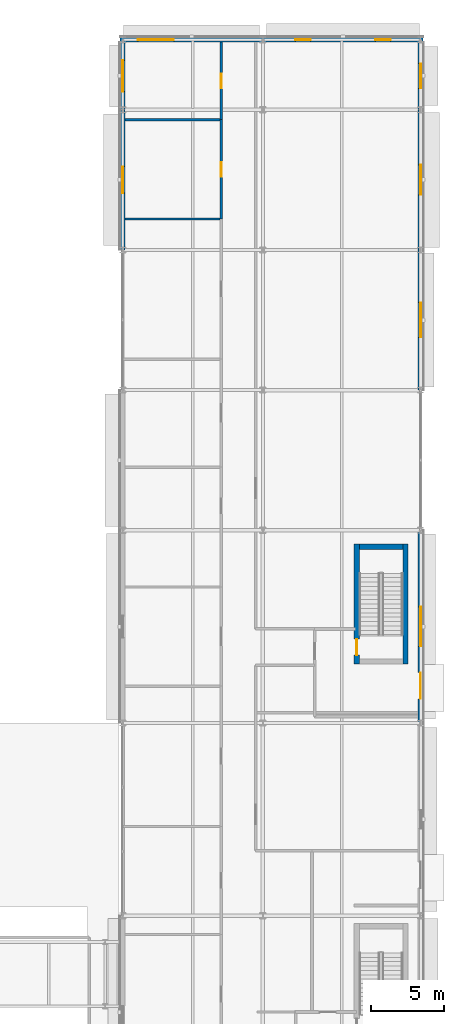
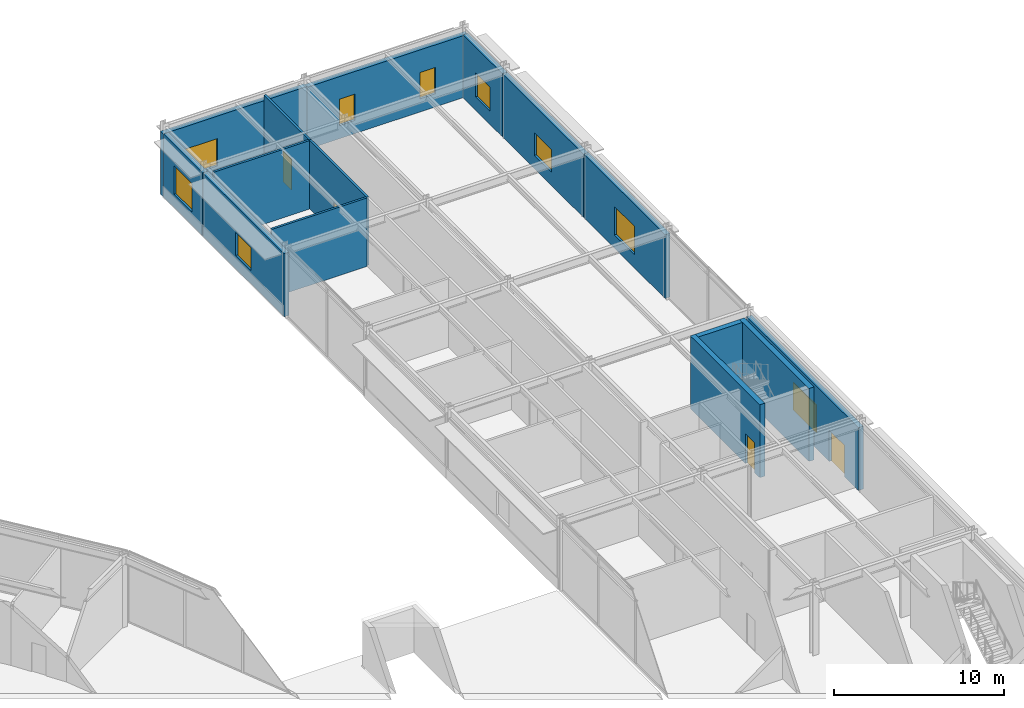
# One storey, part 131 of 168: 15 walls, 9 windows, 4 doors, 13 openings.
"""IFC4 building model written with IfcOpenShell, lengths in metres."""

from ifc_helpers import new_model, si_unit, direction, frame, frame_2d, origin, place, context, subcontext, project, spatial, rectangle, extrude, material, layer, layer_set, type_object, element, fill, save


model = new_model("IFC4")

# Units and contexts
model_context = context("Model", 3, precision=1e-05, world=origin(), true_north=direction((0.0, 1.0)))
body_context = subcontext(model_context, "Body", "Model", "MODEL_VIEW")
ifc_project = project(units=[si_unit("LENGTHUNIT", "METRE"), si_unit("AREAUNIT", "SQUARE_METRE"), si_unit("VOLUMEUNIT", "CUBIC_METRE"), si_unit("PLANEANGLEUNIT", "RADIAN"), si_unit("MASSUNIT", "GRAM", prefix="KILO")], contexts=[model_context])

# Site, building, storey
site_placement = place(None, origin())
site = spatial("IfcSite", under=ifc_project, at=site_placement, CompositionType="ELEMENT")
building_placement = place(site_placement, origin())
building = spatial("IfcBuilding", under=site, at=building_placement, Name="Almandine Court Research Institute", CompositionType="ELEMENT")
storey_placement = place(building_placement, origin())
storey = spatial("IfcBuildingStorey", under=building, at=storey_placement, Name="L00", CompositionType="ELEMENT", Elevation=0.0)

# Wall, opening, window
ifc_material_1 = material(Name="Andean Red-Buff Sandstone Plinth Wall", Category="masonry")
ifc_layer_1 = layer(ifc_material_1, 0.340087890625)
ifc_layer_set_1 = layer_set([ifc_layer_1], Name="Andean Red-Buff Sandstone Plinth Wall")
wall_type_1 = type_object("IfcWallType", Name="Wall-EXT-SAND-340", PredefinedType="SOLIDWALL", material=ifc_layer_set_1)
wall_1_placement = place(storey_placement, frame((153.60009765625, 103.2041015625, 0.0), z_axis=(0.0, 0.0, 1.0), x_axis=(0.0, 1.0, 0.0)))
wall_1 = element("IfcWall", 1, at=wall_1_placement, inside=storey, type_object=wall_type_1, Name="L00 Wet Lab West Facade Wall 8", PredefinedType="SOLIDWALL", context=body_context, shape_type="SweptSolid", body=[
    extrude(rectangle(XDim=9.591796875, YDim=0.340087890625, at=frame_2d((4.7958984375, 0.0))), origin(), (0.0, 0.0, 1.0), 4.5458984375),
])
opening_1_placement = place(wall_1_placement, frame((3.885986328125, 0.0, 0.949951171875)))
opening_1 = element("IfcOpeningElement", 2, at=opening_1_placement, cuts=wall_1, Name="Opening WN-47", PredefinedType="OPENING", context=body_context, shape_type="SweptSolid", body=[
    extrude(rectangle(XDim=1.820068359375, YDim=1.64990234375, at=frame_2d((0.91015625, 0.824951171875))), frame((0.0, 0.179931640625, 0.0), z_axis=(0.0, -1.0, 0.0), x_axis=(1.0, 0.0, 0.0)), (0.0, 0.0, 1.0), 0.360107421875),
])
ifc_material_2 = material(Name="Thermally Broken Low-E Double-Glazed Window", Category="glass")
window_type_1 = type_object("IfcWindowType", Name="Win-WN-47-1820x1650", PartitioningType="SINGLE_PANEL", PredefinedType="WINDOW", material=ifc_material_2)
window_1_placement = place(opening_1_placement, origin())
window_1 = element("IfcWindow", 3, at=window_1_placement, inside=storey, type_object=window_type_1, Name="L00 Modular Recessed Low-E Window 71", OverallHeight=1.64990234375, OverallWidth=1.820068359375, PartitioningType="SINGLE_PANEL", PredefinedType="WINDOW", context=body_context, shape_type="SweptSolid", body=[
    extrude(rectangle(XDim=1.820068359375, YDim=1.64990234375, at=frame_2d((0.91015625, 0.824951171875))), frame((0.0, 0.030029296875, 0.0), z_axis=(0.0, -1.0, 0.0), x_axis=(1.0, 0.0, 0.0)), (0.0, 0.0, 1.0), 0.06005859375),
])
fill(opening_1, window_1)

wall_2_placement = place(storey_placement, frame((153.60009765625, 112.803955078125, 0.0), z_axis=(0.0, 0.0, 1.0), x_axis=(0.0, 1.0, 0.0)))
wall_2 = element("IfcWall", 4, at=wall_2_placement, inside=storey, type_object=wall_type_1, Name="L00 Wet Lab West Facade Wall 9", PredefinedType="SOLIDWALL", context=body_context, shape_type="SweptSolid", body=[
    extrude(rectangle(XDim=4.6220703125, YDim=0.340087890625, at=frame_2d((2.31103515625, 0.0))), origin(), (0.0, 0.0, 1.0), 4.5458984375),
])
opening_2_placement = place(wall_2_placement, frame((1.236083984375, 0.0, 0.949951171875)))
opening_2 = element("IfcOpeningElement", 5, at=opening_2_placement, cuts=wall_2, Name="Opening WN-48", PredefinedType="OPENING", context=body_context, shape_type="SweptSolid", body=[
    extrude(rectangle(XDim=2.14990234375, YDim=2.050048828125, at=frame_2d((1.074951171875, 1.02490234375))), frame((0.0, 0.179931640625, 0.0), z_axis=(0.0, -1.0, 0.0), x_axis=(1.0, 0.0, 0.0)), (0.0, 0.0, 1.0), 0.360107421875),
])
window_type_2 = type_object("IfcWindowType", Name="Win-WN-48-2150x2050", PartitioningType="SINGLE_PANEL", PredefinedType="WINDOW", material=ifc_material_2)
window_2_placement = place(opening_2_placement, origin())
window_2 = element("IfcWindow", 6, at=window_2_placement, inside=storey, type_object=window_type_2, Name="L00 Modular Recessed Low-E Window 72", OverallHeight=2.050048828125, OverallWidth=2.14990234375, PartitioningType="SINGLE_PANEL", PredefinedType="WINDOW", context=body_context, shape_type="SweptSolid", body=[
    extrude(rectangle(XDim=2.14990234375, YDim=2.050048828125, at=frame_2d((1.074951171875, 1.02490234375))), frame((0.0, 0.030029296875, 0.0), z_axis=(0.0, -1.0, 0.0), x_axis=(1.0, 0.0, 0.0)), (0.0, 0.0, 1.0), 0.06005859375),
])
fill(opening_2, window_2)

wall_3_placement = place(storey_placement, frame((153.429931640625, 117.60009765625, 0.0), z_axis=(0.0, 0.0, 1.0), x_axis=(1.0, 0.0, 0.0)))
wall_3 = element("IfcWall", 7, at=wall_3_placement, inside=storey, type_object=wall_type_1, Name="L00 Wet Lab North Wall 1", PredefinedType="SOLIDWALL", context=body_context, shape_type="SweptSolid", body=[
    extrude(rectangle(XDim=9.76611328125, YDim=0.340087890625, at=frame_2d((4.883056640625, 0.0))), origin(), (0.0, 0.0, 1.0), 4.537109375),
])
opening_3_placement = place(wall_3_placement, frame((1.200927734375, 0.0, 0.949951171875)))
opening_3 = element("IfcOpeningElement", 8, at=opening_3_placement, cuts=wall_3, Name="Opening WN-49", PredefinedType="OPENING", context=body_context, shape_type="SweptSolid", body=[
    extrude(rectangle(XDim=2.47998046875, YDim=1.969970703125, at=frame_2d((1.239990234375, 0.98486328125))), frame((0.0, 0.179931640625, 0.0), z_axis=(0.0, -1.0, 0.0), x_axis=(1.0, 0.0, 0.0)), (0.0, 0.0, 1.0), 0.360107421875),
])
window_type_3 = type_object("IfcWindowType", Name="Win-WN-49-2480x1970", PartitioningType="SINGLE_PANEL", PredefinedType="WINDOW", material=ifc_material_2)
window_3_placement = place(opening_3_placement, origin())
window_3 = element("IfcWindow", 9, at=window_3_placement, inside=storey, type_object=window_type_3, Name="L00 Modular Recessed Low-E Window 73", OverallHeight=1.969970703125, OverallWidth=2.47998046875, PartitioningType="SINGLE_PANEL", PredefinedType="WINDOW", context=body_context, shape_type="SweptSolid", body=[
    extrude(rectangle(XDim=2.47998046875, YDim=1.969970703125, at=frame_2d((1.239990234375, 0.98486328125))), frame((0.0, 0.030029296875, 0.0), z_axis=(0.0, -1.0, 0.0), x_axis=(1.0, 0.0, 0.0)), (0.0, 0.0, 1.0), 0.06005859375),
])
fill(opening_3, window_3)

# Wall, openings, windows
wall_4_placement = place(storey_placement, frame((163.2041015625, 117.60009765625, 0.0), z_axis=(0.0, 0.0, 1.0), x_axis=(1.0, 0.0, 0.0)))
wall_4 = element("IfcWall", 10, at=wall_4_placement, inside=storey, type_object=wall_type_1, Name="L00 Wet Lab North Wall 2", PredefinedType="SOLIDWALL", context=body_context, shape_type="SweptSolid", body=[
    extrude(rectangle(XDim=10.9658203125, YDim=0.340087890625, at=frame_2d((5.48291015625, 0.0))), origin(), (0.0, 0.0, 1.0), 4.468994140625),
])
opening_4_placement = place(wall_4_placement, frame((2.216064453125, 0.0, 0.949951171875)))
opening_4 = element("IfcOpeningElement", 11, at=opening_4_placement, cuts=wall_4, Name="Opening WN-50", PredefinedType="OPENING", context=body_context, shape_type="SweptSolid", body=[
    extrude(rectangle(XDim=1.050048828125, YDim=1.889892578125, at=frame_2d((0.52490234375, 0.94482421875))), frame((0.0, 0.179931640625, 0.0), z_axis=(0.0, -1.0, 0.0), x_axis=(1.0, 0.0, 0.0)), (0.0, 0.0, 1.0), 0.360107421875),
])
opening_5_placement = place(wall_4_placement, frame((7.698974609375, 0.0, 0.949951171875)))
opening_5 = element("IfcOpeningElement", 12, at=opening_5_placement, cuts=wall_4, Name="Opening WN-50", PredefinedType="OPENING", context=body_context, shape_type="SweptSolid", body=[
    extrude(rectangle(XDim=1.050048828125, YDim=1.889892578125, at=frame_2d((0.52490234375, 0.94482421875))), frame((0.0, 0.179931640625, 0.0), z_axis=(0.0, -1.0, 0.0), x_axis=(1.0, 0.0, 0.0)), (0.0, 0.0, 1.0), 0.360107421875),
])
window_type_4 = type_object("IfcWindowType", Name="Win-WN-50-1050x1890", PartitioningType="SINGLE_PANEL", PredefinedType="WINDOW", material=ifc_material_2)
window_4_placement = place(opening_4_placement, origin())
window_4 = element("IfcWindow", 13, at=window_4_placement, inside=storey, type_object=window_type_4, Name="L00 Modular Recessed Low-E Window 74", OverallHeight=1.889892578125, OverallWidth=1.050048828125, PartitioningType="SINGLE_PANEL", PredefinedType="WINDOW", context=body_context, shape_type="SweptSolid", body=[
    extrude(rectangle(XDim=1.050048828125, YDim=1.889892578125, at=frame_2d((0.52490234375, 0.94482421875))), frame((0.0, 0.030029296875, 0.0), z_axis=(0.0, -1.0, 0.0), x_axis=(1.0, 0.0, 0.0)), (0.0, 0.0, 1.0), 0.06005859375),
])
fill(opening_4, window_4)
window_5_placement = place(opening_5_placement, origin())
window_5 = element("IfcWindow", 14, at=window_5_placement, inside=storey, type_object=window_type_4, Name="L00 Modular Recessed Low-E Window 75", OverallHeight=1.889892578125, OverallWidth=1.050048828125, PartitioningType="SINGLE_PANEL", PredefinedType="WINDOW", context=body_context, shape_type="SweptSolid", body=[
    extrude(rectangle(XDim=1.050048828125, YDim=1.889892578125, at=frame_2d((0.52490234375, 0.94482421875))), frame((0.0, 0.030029296875, 0.0), z_axis=(0.0, -1.0, 0.0), x_axis=(1.0, 0.0, 0.0)), (0.0, 0.0, 1.0), 0.06005859375),
])
fill(opening_5, window_5)

# Wall, opening, window
wall_5_placement = place(storey_placement, frame((174.0, 117.426025390625, 0.0), z_axis=(0.0, 0.0, 1.0), x_axis=(0.0, -1.0, 0.0)))
wall_5 = element("IfcWall", 15, at=wall_5_placement, inside=storey, type_object=wall_type_1, Name="L00 Wet Lab East Facade Wall 11", PredefinedType="SOLIDWALL", context=body_context, shape_type="SweptSolid", body=[
    extrude(rectangle(XDim=4.6220703125, YDim=0.340087890625, at=frame_2d((2.31103515625, 0.0))), origin(), (0.0, 0.0, 1.0), 4.537109375),
])
opening_6_placement = place(wall_5_placement, frame((1.4560546875, 0.0, 0.949951171875)))
opening_6 = element("IfcOpeningElement", 16, at=opening_6_placement, cuts=wall_5, Name="Opening WN-51", PredefinedType="OPENING", context=body_context, shape_type="SweptSolid", body=[
    extrude(rectangle(XDim=1.7099609375, YDim=1.72998046875, at=frame_2d((0.85498046875, 0.864990234375))), frame((0.0, 0.179931640625, 0.0), z_axis=(0.0, -1.0, 0.0), x_axis=(1.0, 0.0, 0.0)), (0.0, 0.0, 1.0), 0.360107421875),
])
window_type_5 = type_object("IfcWindowType", Name="Win-WN-51-1710x1730", PartitioningType="SINGLE_PANEL", PredefinedType="WINDOW", material=ifc_material_2)
window_6_placement = place(opening_6_placement, origin())
window_6 = element("IfcWindow", 17, at=window_6_placement, inside=storey, type_object=window_type_5, Name="L00 Modular Recessed Low-E Window 76", OverallHeight=1.72998046875, OverallWidth=1.7099609375, PartitioningType="SINGLE_PANEL", PredefinedType="WINDOW", context=body_context, shape_type="SweptSolid", body=[
    extrude(rectangle(XDim=1.7099609375, YDim=1.72998046875, at=frame_2d((0.85498046875, 0.864990234375))), frame((0.0, 0.030029296875, 0.0), z_axis=(0.0, -1.0, 0.0), x_axis=(1.0, 0.0, 0.0)), (0.0, 0.0, 1.0), 0.06005859375),
])
fill(opening_6, window_6)

wall_6_placement = place(storey_placement, frame((174.0, 112.7958984375, 0.0), z_axis=(0.0, 0.0, 1.0), x_axis=(0.0, -1.0, 0.0)))
wall_6 = element("IfcWall", 18, at=wall_6_placement, inside=storey, type_object=wall_type_1, Name="L00 Wet Lab East Facade Wall 10", PredefinedType="SOLIDWALL", context=body_context, shape_type="SweptSolid", body=[
    extrude(rectangle(XDim=9.591796875, YDim=0.340087890625, at=frame_2d((4.7958984375, 0.0))), origin(), (0.0, 0.0, 1.0), 4.537109375),
])
opening_7_placement = place(wall_6_placement, frame((3.77587890625, 0.0, 0.949951171875)))
opening_7 = element("IfcOpeningElement", 19, at=opening_7_placement, cuts=wall_6, Name="Opening WN-52", PredefinedType="OPENING", context=body_context, shape_type="SweptSolid", body=[
    extrude(rectangle(XDim=2.0400390625, YDim=1.64990234375, at=frame_2d((1.02001953125, 0.824951171875))), frame((0.0, 0.179931640625, 0.0), z_axis=(0.0, -1.0, 0.0), x_axis=(1.0, 0.0, 0.0)), (0.0, 0.0, 1.0), 0.360107421875),
])
window_type_6 = type_object("IfcWindowType", Name="Win-WN-52-2040x1650", PartitioningType="SINGLE_PANEL", PredefinedType="WINDOW", material=ifc_material_2)
window_7_placement = place(opening_7_placement, origin())
window_7 = element("IfcWindow", 20, at=window_7_placement, inside=storey, type_object=window_type_6, Name="L00 Modular Recessed Low-E Window 77", OverallHeight=1.64990234375, OverallWidth=2.0400390625, PartitioningType="SINGLE_PANEL", PredefinedType="WINDOW", context=body_context, shape_type="SweptSolid", body=[
    extrude(rectangle(XDim=2.0400390625, YDim=1.64990234375, at=frame_2d((1.02001953125, 0.824951171875))), frame((0.0, 0.030029296875, 0.0), z_axis=(0.0, -1.0, 0.0), x_axis=(1.0, 0.0, 0.0)), (0.0, 0.0, 1.0), 0.06005859375),
])
fill(opening_7, window_7)

wall_7_placement = place(storey_placement, frame((174.0, 103.196044921875, 0.0), z_axis=(0.0, 0.0, 1.0), x_axis=(0.0, -1.0, 0.0)))
wall_7 = element("IfcWall", 21, at=wall_7_placement, inside=storey, type_object=wall_type_1, Name="L00 Wet Lab East Facade Wall 9", PredefinedType="SOLIDWALL", context=body_context, shape_type="SweptSolid", body=[
    extrude(rectangle(XDim=9.592041015625, YDim=0.340087890625, at=frame_2d((4.7958984375, 0.0))), origin(), (0.0, 0.0, 1.0), 4.583984375),
])
opening_8_placement = place(wall_7_placement, frame((3.611083984375, 0.0, 0.949951171875)))
opening_8 = element("IfcOpeningElement", 22, at=opening_8_placement, cuts=wall_7, Name="Opening WN-53", PredefinedType="OPENING", context=body_context, shape_type="SweptSolid", body=[
    extrude(rectangle(XDim=2.3701171875, YDim=2.050048828125, at=frame_2d((1.18505859375, 1.02490234375))), frame((0.0, 0.179931640625, 0.0), z_axis=(0.0, -1.0, 0.0), x_axis=(1.0, 0.0, 0.0)), (0.0, 0.0, 1.0), 0.360107421875),
])
window_type_7 = type_object("IfcWindowType", Name="Win-WN-53-2370x2050", PartitioningType="SINGLE_PANEL", PredefinedType="WINDOW", material=ifc_material_2)
window_8_placement = place(opening_8_placement, origin())
window_8 = element("IfcWindow", 23, at=window_8_placement, inside=storey, type_object=window_type_7, Name="L00 Modular Recessed Low-E Window 78", OverallHeight=2.050048828125, OverallWidth=2.3701171875, PartitioningType="SINGLE_PANEL", PredefinedType="WINDOW", context=body_context, shape_type="SweptSolid", body=[
    extrude(rectangle(XDim=2.3701171875, YDim=2.050048828125, at=frame_2d((1.18505859375, 1.02490234375))), frame((0.0, 0.030029296875, 0.0), z_axis=(0.0, -1.0, 0.0), x_axis=(1.0, 0.0, 0.0)), (0.0, 0.0, 1.0), 0.06005859375),
])
fill(opening_8, window_8)

# Wall, openings, door, window
wall_8_placement = place(storey_placement, frame((174.0, 83.99609375, 0.0), z_axis=(0.0, 0.0, 1.0), x_axis=(0.0, -1.0, 0.0)))
wall_8 = element("IfcWall", 24, at=wall_8_placement, inside=storey, type_object=wall_type_1, Name="L00 Wet Lab East Facade Wall 7", PredefinedType="SOLIDWALL", context=body_context, shape_type="SweptSolid", body=[
    extrude(rectangle(XDim=13.192138671875, YDim=0.340087890625, at=frame_2d((6.59619140625, 0.0))), origin(), (0.0, 0.0, 1.0), 4.51611328125),
])
opening_9_placement = place(wall_8_placement, frame((9.75, 0.0, 0.0)))
opening_9 = element("IfcOpeningElement", 25, at=opening_9_placement, cuts=wall_8, Name="Opening EX-02", PredefinedType="OPENING", context=body_context, shape_type="SweptSolid", body=[
    extrude(rectangle(XDim=1.800048828125, YDim=2.25, at=frame_2d((0.89990234375, 1.125))), frame((0.0, 0.179931640625, 0.0), z_axis=(0.0, -1.0, 0.0), x_axis=(1.0, 0.0, 0.0)), (0.0, 0.0, 1.0), 0.360107421875),
])
opening_10_placement = place(wall_8_placement, frame((5.24609375, 0.0, 0.949951171875)))
opening_10 = element("IfcOpeningElement", 26, at=opening_10_placement, cuts=wall_8, Name="Opening WN-54", PredefinedType="OPENING", context=body_context, shape_type="SweptSolid", body=[
    extrude(rectangle(XDim=2.699951171875, YDim=1.969970703125, at=frame_2d((1.35009765625, 0.98486328125))), frame((0.0, 0.179931640625, 0.0), z_axis=(0.0, -1.0, 0.0), x_axis=(1.0, 0.0, 0.0)), (0.0, 0.0, 1.0), 0.360107421875),
])
ifc_material_3 = material(Name="Anodised Aluminium Exit Discharge Door", Category="aluminium")
door_type_1 = type_object("IfcDoorType", Name="Door-EX-1800", OperationType="DOUBLE_DOOR_SINGLE_SWING", PredefinedType="DOOR", material=ifc_material_3)
door_1_placement = place(opening_9_placement, origin())
door_1 = element("IfcDoor", 27, at=door_1_placement, inside=storey, type_object=door_type_1, Name="L00 ST-13 North Lab East Protected Exit Door", OperationType="DOUBLE_DOOR_SINGLE_SWING", OverallHeight=2.25, OverallWidth=1.800048828125, PredefinedType="DOOR", context=body_context, shape_type="SweptSolid", body=[
    extrude(rectangle(XDim=1.800048828125, YDim=2.25, at=frame_2d((0.89990234375, 1.125))), frame((0.0, 0.02490234375, 0.0), z_axis=(0.0, -1.0, 0.0), x_axis=(1.0, 0.0, 0.0)), (0.0, 0.0, 1.0), 0.050048828125),
])
fill(opening_9, door_1)
window_type_8 = type_object("IfcWindowType", Name="Win-WN-54-2700x1970", PartitioningType="SINGLE_PANEL", PredefinedType="WINDOW", material=ifc_material_2)
window_9_placement = place(opening_10_placement, origin())
window_9 = element("IfcWindow", 28, at=window_9_placement, inside=storey, type_object=window_type_8, Name="L00 Modular Recessed Low-E Window 79", OverallHeight=1.969970703125, OverallWidth=2.699951171875, PartitioningType="SINGLE_PANEL", PredefinedType="WINDOW", context=body_context, shape_type="SweptSolid", body=[
    extrude(rectangle(XDim=2.699951171875, YDim=1.969970703125, at=frame_2d((1.35009765625, 0.98486328125))), frame((0.0, 0.030029296875, 0.0), z_axis=(0.0, -1.0, 0.0), x_axis=(1.0, 0.0, 0.0)), (0.0, 0.0, 1.0), 0.06005859375),
])
fill(opening_10, window_9)

# Wall
ifc_material_4 = material(Name="Acoustic Steel-Stud Gypsum Partition Wall", Category="steel")
ifc_layer_2 = layer(ifc_material_4, 0.14990234375)
ifc_layer_set_2 = layer_set([ifc_layer_2], Name="Acoustic Steel-Stud Gypsum Partition Wall")
wall_type_2 = type_object("IfcWallType", Name="Wall-PART-150", PredefinedType="PARTITIONING", material=ifc_layer_set_2)
wall_9_placement = place(storey_placement, frame((153.760009765625, 105.320068359375, 0.0), z_axis=(0.0, 0.0, 1.0), x_axis=(1.0, 0.0, 0.0)))
element("IfcWall", 29, at=wall_9_placement, inside=storey, type_object=wall_type_2, Name="L00 Interior Partition W-V4-L00-WDIV-10", PredefinedType="PARTITIONING", context=body_context, shape_type="SweptSolid", body=[
    extrude(rectangle(XDim=6.510009765625, YDim=0.14990234375, at=frame_2d((3.2548828125, 0.0))), origin(), (0.0, 0.0, 1.0), 4.929931640625),
])

# Wall, opening, door
wall_10_placement = place(storey_placement, frame((160.35009765625, 105.320068359375, 0.0), z_axis=(0.0, 0.0, 1.0), x_axis=(0.0, 1.0, 0.0)))
wall_10 = element("IfcWall", 30, at=wall_10_placement, inside=storey, type_object=wall_type_2, Name="L00 Interior Partition W-V4-L00-WW-11", PredefinedType="PARTITIONING", context=body_context, shape_type="SweptSolid", body=[
    extrude(rectangle(XDim=6.800048828125, YDim=0.14990234375, at=frame_2d((3.39990234375, 0.0))), origin(), (0.0, 0.0, 1.0), 4.929931640625),
])
opening_11_placement = place(wall_10_placement, frame((2.89990234375, 0.0, 0.0)))
opening_11 = element("IfcOpeningElement", 31, at=opening_11_placement, cuts=wall_10, Name="Opening D-02", PredefinedType="OPENING", context=body_context, shape_type="SweptSolid", body=[
    extrude(rectangle(XDim=1.0, YDim=2.199951171875, at=frame_2d((0.5, 1.10009765625))), frame((0.0, 0.0849609375, 0.0), z_axis=(0.0, -1.0, 0.0), x_axis=(1.0, 0.0, 0.0)), (0.0, 0.0, 1.0), 0.169921875),
])
ifc_material_5 = material(Name="Solid-Core Timber Researcher Office Door", Category="wood")
door_type_2 = type_object("IfcDoorType", Name="Door-INT-1000", OperationType="NOTDEFINED", PredefinedType="DOOR", material=ifc_material_5)
door_2_placement = place(opening_11_placement, origin())
door_2 = element("IfcDoor", 32, at=door_2_placement, inside=storey, type_object=door_type_2, Name="L00 Instrument Room Door", OperationType="SINGLE_SWING_LEFT", OverallHeight=2.199951171875, OverallWidth=1.0, PredefinedType="DOOR", context=body_context, shape_type="SweptSolid", body=[
    extrude(rectangle(XDim=1.0, YDim=2.199951171875, at=frame_2d((0.5, 1.10009765625))), frame((0.0, 0.02490234375, 0.0), z_axis=(0.0, -1.0, 0.0), x_axis=(1.0, 0.0, 0.0)), (0.0, 0.0, 1.0), 0.050048828125),
])
fill(opening_11, door_2)

# Wall
wall_11_placement = place(storey_placement, frame((153.760009765625, 112.1201171875, 0.0), z_axis=(0.0, 0.0, 1.0), x_axis=(1.0, 0.0, 0.0)))
element("IfcWall", 33, at=wall_11_placement, inside=storey, type_object=wall_type_2, Name="L00 Interior Partition W-V4-L00-WDIV-11", PredefinedType="PARTITIONING", context=body_context, shape_type="SweptSolid", body=[
    extrude(rectangle(XDim=6.510009765625, YDim=0.14990234375, at=frame_2d((3.2548828125, 0.0))), origin(), (0.0, 0.0, 1.0), 4.929931640625),
])

# Wall, opening, door
wall_12_placement = place(storey_placement, frame((160.35009765625, 112.1201171875, 0.0), z_axis=(0.0, 0.0, 1.0), x_axis=(0.0, 1.0, 0.0)))
wall_12 = element("IfcWall", 34, at=wall_12_placement, inside=storey, type_object=wall_type_2, Name="L00 Interior Partition W-V4-L00-WW-12", PredefinedType="PARTITIONING", context=body_context, shape_type="SweptSolid", body=[
    extrude(rectangle(XDim=5.31982421875, YDim=0.14990234375, at=frame_2d((2.659912109375, 0.0))), origin(), (0.0, 0.0, 1.0), 4.929931640625),
])
opening_12_placement = place(wall_12_placement, frame((2.159912109375, 0.0, 0.0)))
opening_12 = element("IfcOpeningElement", 35, at=opening_12_placement, cuts=wall_12, Name="Opening D-02", PredefinedType="OPENING", context=body_context, shape_type="SweptSolid", body=[
    extrude(rectangle(XDim=1.0, YDim=2.199951171875, at=frame_2d((0.5, 1.10009765625))), frame((0.0, 0.0849609375, 0.0), z_axis=(0.0, -1.0, 0.0), x_axis=(1.0, 0.0, 0.0)), (0.0, 0.0, 1.0), 0.169921875),
])
door_3_placement = place(opening_12_placement, origin())
door_3 = element("IfcDoor", 36, at=door_3_placement, inside=storey, type_object=door_type_2, Name="L00 Write-up Office Door", OperationType="SINGLE_SWING_RIGHT", OverallHeight=2.199951171875, OverallWidth=1.0, PredefinedType="DOOR", context=body_context, shape_type="SweptSolid", body=[
    extrude(rectangle(XDim=1.0, YDim=2.199951171875, at=frame_2d((0.5, 1.10009765625))), frame((0.0, 0.02490234375, 0.0), z_axis=(0.0, -1.0, 0.0), x_axis=(1.0, 0.0, 0.0)), (0.0, 0.0, 1.0), 0.050048828125),
])
fill(opening_12, door_3)

ifc_material_6 = material(Name="Concrete C40/50", Category="concrete")
ifc_layer_3 = layer(ifc_material_6, 0.35009765625)
ifc_layer_set_3 = layer_set([ifc_layer_3], Name="Concrete C40/50")
wall_type_3 = type_object("IfcWallType", Name="Wall-SW-CORE-350", PredefinedType="SHEAR", material=ifc_layer_set_3)
wall_13_placement = place(storey_placement, frame((169.625, 74.85009765625, 0.0), z_axis=(0.0, 0.0, 1.0), x_axis=(0.0, 1.0, 0.0)))
wall_13 = element("IfcWall", 37, at=wall_13_placement, inside=storey, type_object=wall_type_3, Name="L00 ST-13 W Shear Wall", PredefinedType="SHEAR", context=body_context, shape_type="SweptSolid", body=[
    extrude(rectangle(XDim=8.199951171875, YDim=0.35009765625, at=frame_2d((4.10009765625, 0.0))), origin(), (0.0, 0.0, 1.0), 5.25),
])
opening_13_placement = place(wall_13_placement, frame((0.60009765625, 0.0, 0.0)))
opening_13 = element("IfcOpeningElement", 38, at=opening_13_placement, cuts=wall_13, Name="Opening FD-STAIR", PredefinedType="OPENING", context=body_context, shape_type="SweptSolid", body=[
    extrude(rectangle(XDim=1.10009765625, YDim=2.14990234375, at=frame_2d((0.550048828125, 1.074951171875))), frame((0.0, 0.18505859375, 0.0), z_axis=(0.0, -1.0, 0.0), x_axis=(1.0, 0.0, 0.0)), (0.0, 0.0, 1.0), 0.3701171875),
])
ifc_material_7 = material(Name="Self-Closing Steel Exit Stair Fire Door", Category="steel")
door_type_3 = type_object("IfcDoorType", Name="Door-FD-STAIR-1100", OperationType="NOTDEFINED", PredefinedType="DOOR", material=ifc_material_7)
door_4_placement = place(opening_13_placement, origin())
door_4 = element("IfcDoor", 39, at=door_4_placement, inside=storey, type_object=door_type_3, Name="L00 Exit Stair ST-13 Fire Door", OperationType="SINGLE_SWING_RIGHT", OverallHeight=2.14990234375, OverallWidth=1.10009765625, PredefinedType="DOOR", context=body_context, shape_type="SweptSolid", body=[
    extrude(rectangle(XDim=1.10009765625, YDim=2.14990234375, at=frame_2d((0.550048828125, 1.074951171875))), frame((0.0, 0.02490234375, 0.0), z_axis=(0.0, -1.0, 0.0), x_axis=(1.0, 0.0, 0.0)), (0.0, 0.0, 1.0), 0.050048828125),
])
fill(opening_13, door_4)

# Walls
wall_14_placement = place(storey_placement, frame((169.800048828125, 82.875, 0.0), z_axis=(0.0, 0.0, 1.0), x_axis=(1.0, 0.0, 0.0)))
element("IfcWall", 40, at=wall_14_placement, inside=storey, type_object=wall_type_3, Name="L00 ST-13 N Shear Wall", PredefinedType="SHEAR", context=body_context, shape_type="SweptSolid", body=[
    extrude(rectangle(XDim=3.0, YDim=0.35009765625, at=frame_2d((1.5, 0.0))), origin(), (0.0, 0.0, 1.0), 5.25),
])
wall_15_placement = place(storey_placement, frame((172.97509765625, 83.050048828125, 0.0), z_axis=(0.0, 0.0, 1.0), x_axis=(0.0, -1.0, 0.0)))
element("IfcWall", 41, at=wall_15_placement, inside=storey, type_object=wall_type_3, Name="L00 ST-13 E Shear Wall", PredefinedType="SHEAR", context=body_context, shape_type="SweptSolid", body=[
    extrude(rectangle(XDim=8.199951171875, YDim=0.35009765625, at=frame_2d((4.10009765625, 0.0))), origin(), (0.0, 0.0, 1.0), 5.25),
])

save(model, "model.ifc")
